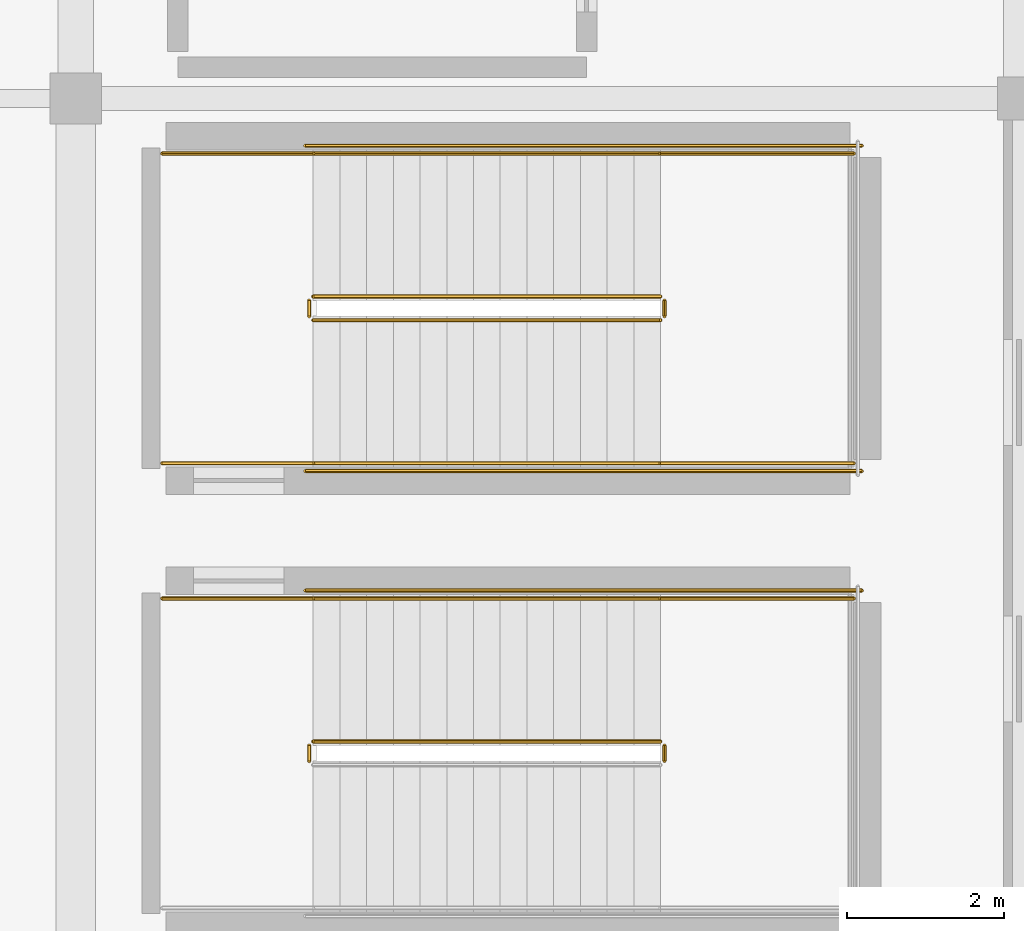
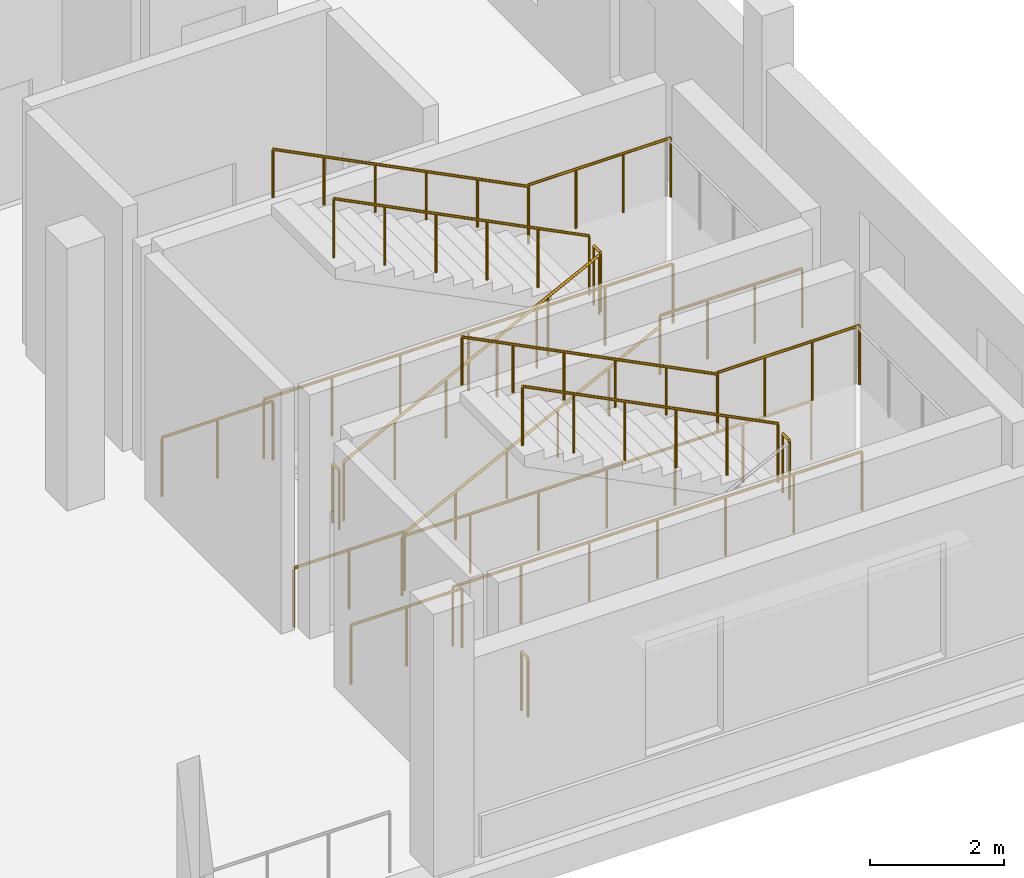
# One storey, part 52 of 53: 19 railings.
"""IFC4 building model written with IfcOpenShell, lengths in metres."""

import ifcopenshell
import ifcopenshell.guid

model = None  # the IFC model being written
_history = None  # IfcOwnerHistory: only IFC2X3 demands one
_inside = {}  # id of a spatial element -> (the spatial element, [elements in it])
_under = {}  # id of a project, library or spatial element -> (it, [spatial elements below it])
_declared = {}  # id of a project -> (the project, [libraries it declares])
_typed = {}  # id of a type object -> (the type object, [elements of that type])
_made_of = {}  # id of a material, layer set ... -> (it, [elements and type objects made of it])


def new_model(schema):
    """Start an empty IFC model of exactly this schema.

    Asked for "IFC4X3", IfcOpenShell would pick the latest addendum, in which some entities
    have other attributes; the version numbers below select the first issue.
    IFC2X3 requires an IfcOwnerHistory on every rooted entity: one is made here for all.
    """
    global model, _history
    if schema == "IFC4X3":
        model = ifcopenshell.file(schema_version=(4, 3, 0, 0))
    else:
        model = ifcopenshell.file(schema=schema)
    _inside.clear()
    _under.clear()
    _declared.clear()
    _typed.clear()
    _made_of.clear()
    _history = None
    if model.schema == "IFC2X3":
        org = make("IfcOrganization", Name="unknown")
        user = make(
            "IfcPersonAndOrganization",
            ThePerson=make("IfcPerson", FamilyName="unknown"),
            TheOrganization=org,
        )
        app = make(
            "IfcApplication",
            ApplicationDeveloper=org,
            Version="unknown",
            ApplicationFullName="unknown",
            ApplicationIdentifier="unknown",
        )
        _history = make(
            "IfcOwnerHistory",
            OwningUser=user,
            OwningApplication=app,
            ChangeAction="ADDED",
            CreationDate=0,
        )
    return model


def make(cls, **values):
    """One entity of the class cls with the attributes given. An attribute that is None is left unset."""
    return model.create_entity(
        cls, **{name: value for name, value in values.items() if value is not None}
    )


def rooted(cls, **values):
    """An entity with a GlobalId (a new one), such as an element, a storey or a relation."""
    return make(cls, GlobalId=ifcopenshell.guid.new(), OwnerHistory=_history, **values)


def si_unit(unit_type, name, prefix=None):
    """IfcSIUnit, for example si_unit("LENGTHUNIT", "METRE", prefix="MILLI")."""
    return make("IfcSIUnit", UnitType=unit_type, Prefix=prefix, Name=name)


def assignment(units):
    """IfcUnitAssignment: the units of a project."""
    return None if units is None else make("IfcUnitAssignment", Units=units)


def point(xyz):
    """IfcCartesianPoint."""
    return None if xyz is None else make("IfcCartesianPoint", Coordinates=xyz)


def direction(xyz):
    """IfcDirection."""
    return None if xyz is None else make("IfcDirection", DirectionRatios=xyz)


def frame(location, z_axis=None, x_axis=None):
    """IfcAxis2Placement3D, a coordinate frame: its origin and axes. An axis left out is left unset."""
    return make(
        "IfcAxis2Placement3D",
        Location=point(location),
        Axis=direction(z_axis),
        RefDirection=direction(x_axis),
    )


def frame_2d(location, x_axis=None):
    """IfcAxis2Placement2D, a coordinate frame in the plane: its origin and x axis."""
    return make(
        "IfcAxis2Placement2D", Location=point(location), RefDirection=direction(x_axis)
    )


def origin():
    """The frame at (0, 0, 0) with its axes left unset."""
    return frame((0.0, 0.0, 0.0))


def origin_2d():
    """The frame at (0, 0) in the plane with its x axis left unset."""
    return frame_2d((0.0, 0.0))


def place(relative_to, where):
    """IfcLocalPlacement: puts the frame where relative to a parent placement (None: the world)."""
    return make(
        "IfcLocalPlacement", PlacementRelTo=relative_to, RelativePlacement=where
    )


def context(
    kind, dimensions, precision=None, world=None, true_north=None, identifier=None
):
    """IfcGeometricRepresentationContext, for example the 3D "Model" context."""
    return make(
        "IfcGeometricRepresentationContext",
        ContextIdentifier=identifier,
        ContextType=kind,
        CoordinateSpaceDimension=dimensions,
        Precision=precision,
        WorldCoordinateSystem=world,
        TrueNorth=true_north,
    )


def subcontext(parent, identifier, kind, view, scale=None):
    """IfcGeometricRepresentationSubContext, for example "Body" below "Model"."""
    return make(
        "IfcGeometricRepresentationSubContext",
        ContextIdentifier=identifier,
        ContextType=kind,
        ParentContext=parent,
        TargetScale=scale,
        TargetView=view,
    )


def project(units=None, contexts=None):
    """IfcProject with its units and contexts."""
    return rooted(
        "IfcProject",
        Name="project",
        RepresentationContexts=contexts,
        UnitsInContext=assignment(units),
    )


def spatial(cls, under=None, at=None, **own):
    """A site, building, storey or space (cls), placed at a placement, below another one or the project."""
    s = rooted(cls, ObjectPlacement=at, **own)
    if under is not None:
        _under.setdefault(under.id(), (under, []))[1].append(s)
    return s


def profile(cls, at=None, kind="AREA", **sizes):
    """A parametric profile (cls). Its sizes go by their IFC names, for example OverallWidth=200.0."""
    return make(cls, ProfileType=kind, Position=at, **sizes)


def circle(**sizes):
    """IfcCircleProfileDef."""
    return profile("IfcCircleProfileDef", **sizes)


def extrude(swept, where, along, depth):
    """IfcExtrudedAreaSolid: the profile swept, set in the frame where, extruded along a direction by depth."""
    return make(
        "IfcExtrudedAreaSolid",
        SweptArea=swept,
        Position=where,
        ExtrudedDirection=direction(along),
        Depth=depth,
    )


def shape(context_of_items, identifier, shape_type, items):
    """IfcShapeRepresentation: the items that make up one representation, for example the "Body"."""
    return make(
        "IfcShapeRepresentation",
        ContextOfItems=context_of_items,
        RepresentationIdentifier=identifier,
        RepresentationType=shape_type,
        Items=items,
    )


def material(Name=None, Category=None):
    """IfcMaterial."""
    return make("IfcMaterial", Name=Name, Category=Category)


def made_of(thing, what):
    """Note that an element or type object is made of a material, layer set ...; save() writes the relation."""
    if what is not None:
        _made_of.setdefault(what.id(), (what, []))[1].append(thing)
    return thing


def type_object(cls, material=None, **own):
    """A type object (cls), such as IfcWallType, which elements share."""
    return made_of(rooted(cls, **own), material)


def element(
    cls,
    number,
    at=None,
    inside=None,
    cuts=None,
    type_object=None,
    material=None,
    context=None,
    identifier="Body",
    shape_type=None,
    held_by="IfcProductDefinitionShape",
    body=None,
    shapes=None,
    **own,
):
    """One element of the class cls, such as IfcWall. Its Tag is "e" and its number.

    at: its placement. inside: the storey or other place that contains it. cuts: it is an
    opening in that element (IfcRelVoidsElement). A single representation is given by context,
    identifier, shape_type and body (its items); several are given by shapes. held_by: the class
    of the entity that holds the representations. save() writes the other relations.
    """
    e = rooted(cls, Tag="e%d" % number, ObjectPlacement=at, **own)
    if body is not None:
        shapes = [shape(context, identifier, shape_type, body)]
    if shapes is not None:
        e.Representation = make(held_by, Representations=shapes)
    if inside is not None:
        _inside.setdefault(inside.id(), (inside, []))[1].append(e)
    if cuts is not None:
        rooted(
            "IfcRelVoidsElement", RelatingBuildingElement=cuts, RelatedOpeningElement=e
        )
    if type_object is not None:
        _typed.setdefault(type_object.id(), (type_object, []))[1].append(e)
    return made_of(e, material)


def aggregate(whole, parts):
    """IfcRelAggregates: a whole, such as a stair, and the parts it consists of."""
    return rooted("IfcRelAggregates", RelatingObject=whole, RelatedObjects=parts)


def save(model, path):
    """Write the relations noted so far, then the file.

    IfcRelAggregates (storeys below a building ...), IfcRelContainedInSpatialStructure (elements
    in a storey), IfcRelDefinesByType, IfcRelAssociatesMaterial and IfcRelDeclares: one each for
    every whole, place, type object, material and project.
    """
    for whole, parts in _under.values():
        aggregate(whole, parts)
    for where, things in _inside.values():
        rooted(
            "IfcRelContainedInSpatialStructure",
            RelatedElements=things,
            RelatingStructure=where,
        )
    for kind, things in _typed.values():
        rooted("IfcRelDefinesByType", RelatedObjects=things, RelatingType=kind)
    for what, things in _made_of.values():
        rooted("IfcRelAssociatesMaterial", RelatedObjects=things, RelatingMaterial=what)
    for by, libraries in _declared.values():
        rooted("IfcRelDeclares", RelatingContext=by, RelatedDefinitions=libraries)
    model.write(path)


model = new_model("IFC4")

# Units and contexts
model_context = context("Model", 3, precision=1e-05, world=origin(), true_north=direction((0.0, 1.0)))
body_context = subcontext(model_context, "Body", "Model", "MODEL_VIEW")
ifc_project = project(units=[si_unit("LENGTHUNIT", "METRE"), si_unit("AREAUNIT", "SQUARE_METRE"), si_unit("VOLUMEUNIT", "CUBIC_METRE"), si_unit("PLANEANGLEUNIT", "RADIAN"), si_unit("MASSUNIT", "GRAM", prefix="KILO")], contexts=[model_context])

# Site, building, storey
site_placement = place(None, origin())
site = spatial("IfcSite", under=ifc_project, at=site_placement, CompositionType="ELEMENT")
building_placement = place(site_placement, origin())
building = spatial("IfcBuilding", under=site, at=building_placement, Name="Luwafu Chhajja Arena", CompositionType="ELEMENT")
storey_placement = place(building_placement, frame((0.0, 0.0, 19.5)))
storey = spatial("IfcBuildingStorey", under=building, at=storey_placement, Name="L04", CompositionType="ELEMENT", Elevation=19.5)

# Railings
ifc_material_1 = material(Name="Stainless steel handrail", Category="steel")
railing_type_1 = type_object("IfcRailingType", Name="Stair Pitch Wall Handrail 920", PredefinedType="HANDRAIL", material=ifc_material_1)
railing_1_placement = place(storey_placement, frame((159.43994140625, 81.639892578125, 2.571533203125)))
element("IfcRailing", 1, at=railing_1_placement, inside=storey, type_object=railing_type_1, Name="L04 ST-07 stair handrail 2", PredefinedType="HANDRAIL", context=body_context, shape_type="SweptSolid", body=[
    extrude(circle(Radius=0.02392578125, at=origin_2d()), frame((0.0, 0.0, 0.8759765625), z_axis=(-0.89292277971, 0.0, 0.450209850486), x_axis=(0.0, -1.0, 0.0)), (0.0, 0.0, 1.0), 4.949951171875),
    extrude(circle(Radius=0.02099609375, at=origin_2d()), origin(), (0.0, 0.0, 1.0), 0.851806640625),
    extrude(circle(Radius=0.02099609375, at=origin_2d()), frame((-0.884033203125, 0.0, 0.44580078125)), (0.0, 0.0, 1.0), 0.851806640625),
    extrude(circle(Radius=0.02099609375, at=origin_2d()), frame((-1.76806640625, 0.0, 0.891357421875)), (0.0, 0.0, 1.0), 0.851806640625),
    extrude(circle(Radius=0.02099609375, at=origin_2d()), frame((-2.65185546875, 0.0, 1.337158203125)), (0.0, 0.0, 1.0), 0.851806640625),
    extrude(circle(Radius=0.02099609375, at=origin_2d()), frame((-3.535888671875, 0.0, 1.78271484375)), (0.0, 0.0, 1.0), 0.851806640625),
    extrude(circle(Radius=0.02099609375, at=origin_2d()), frame((-4.419921875, 0.0, 2.228515625)), (0.0, 0.0, 1.0), 0.851806640625),
])
railing_2_placement = place(storey_placement, frame((155.02001953125, 83.360107421875, 0.17138671875)))
element("IfcRailing", 2, at=railing_2_placement, inside=storey, type_object=railing_type_1, Name="L04 ST-08 stair handrail 1", PredefinedType="HANDRAIL", context=body_context, shape_type="SweptSolid", body=[
    extrude(circle(Radius=0.02392578125, at=origin_2d()), frame((0.0, 0.0, 0.8759765625), z_axis=(0.89292277971, 0.0, 0.450209850486), x_axis=(0.0, 1.0, 0.0)), (0.0, 0.0, 1.0), 4.949951171875),
    extrude(circle(Radius=0.02099609375, at=origin_2d()), origin(), (0.0, 0.0, 1.0), 0.851806640625),
    extrude(circle(Radius=0.02099609375, at=origin_2d()), frame((0.884033203125, 0.0, 0.44580078125)), (0.0, 0.0, 1.0), 0.851806640625),
    extrude(circle(Radius=0.02099609375, at=origin_2d()), frame((1.76806640625, 0.0, 0.891357421875)), (0.0, 0.0, 1.0), 0.851806640625),
    extrude(circle(Radius=0.02099609375, at=origin_2d()), frame((2.65185546875, 0.0, 1.337158203125)), (0.0, 0.0, 1.0), 0.851806640625),
    extrude(circle(Radius=0.02099609375, at=origin_2d()), frame((3.535888671875, 0.0, 1.78271484375)), (0.0, 0.0, 1.0), 0.851806640625),
    extrude(circle(Radius=0.02099609375, at=origin_2d()), frame((4.419921875, 0.0, 2.228515625)), (0.0, 0.0, 1.0), 0.851806640625),
])
railing_3_placement = place(storey_placement, frame((159.43994140625, 87.300048828125, 2.571533203125)))
element("IfcRailing", 3, at=railing_3_placement, inside=storey, type_object=railing_type_1, Name="L04 ST-08 stair handrail 2", PredefinedType="HANDRAIL", context=body_context, shape_type="SweptSolid", body=[
    extrude(circle(Radius=0.02392578125, at=origin_2d()), frame((0.0, 0.0, 0.8759765625), z_axis=(-0.89292277971, 0.0, 0.450209850486), x_axis=(0.0, -1.0, 0.0)), (0.0, 0.0, 1.0), 4.949951171875),
    extrude(circle(Radius=0.02099609375, at=origin_2d()), origin(), (0.0, 0.0, 1.0), 0.851806640625),
    extrude(circle(Radius=0.02099609375, at=origin_2d()), frame((-0.884033203125, 0.0, 0.44580078125)), (0.0, 0.0, 1.0), 0.851806640625),
    extrude(circle(Radius=0.02099609375, at=origin_2d()), frame((-1.76806640625, 0.0, 0.891357421875)), (0.0, 0.0, 1.0), 0.851806640625),
    extrude(circle(Radius=0.02099609375, at=origin_2d()), frame((-2.65185546875, 0.0, 1.337158203125)), (0.0, 0.0, 1.0), 0.851806640625),
    extrude(circle(Radius=0.02099609375, at=origin_2d()), frame((-3.535888671875, 0.0, 1.78271484375)), (0.0, 0.0, 1.0), 0.851806640625),
    extrude(circle(Radius=0.02099609375, at=origin_2d()), frame((-4.419921875, 0.0, 2.228515625)), (0.0, 0.0, 1.0), 0.851806640625),
])
ifc_material_2 = material(Name="Stainless steel balustrade", Category="steel")
railing_type_2 = type_object("IfcRailingType", Name="Stair and Terrace Guard Balustrade 1100", PredefinedType="BALUSTRADE", material=ifc_material_2)
railing_4_placement = place(storey_placement, frame((159.489990234375, 79.570068359375, 2.39990234375)))
element("IfcRailing", 4, at=railing_4_placement, inside=storey, type_object=railing_type_2, Name="L04 ST-07 stair guard 2", PredefinedType="BALUSTRADE", context=body_context, shape_type="SweptSolid", body=[
    extrude(circle(Radius=0.02392578125, at=origin_2d()), frame((0.0, 0.0, 1.076171875), z_axis=(0.0, 1.0, 0.0), x_axis=(-1.0, 0.0, 0.0)), (0.0, 0.0, 1.0), 0.199951171875),
    extrude(circle(Radius=0.02099609375, at=origin_2d()), origin(), (0.0, 0.0, 1.0), 1.052001953125),
    extrude(circle(Radius=0.02099609375, at=origin_2d()), frame((0.0, 0.199951171875, 0.0)), (0.0, 0.0, 1.0), 1.052001953125),
])
railing_5_placement = place(storey_placement, frame((159.43994140625, 81.639892578125, 2.39990234375)))
element("IfcRailing", 5, at=railing_5_placement, inside=storey, type_object=railing_type_2, Name="L04 ST-07 stair guard 4", PredefinedType="BALUSTRADE", context=body_context, shape_type="SweptSolid", body=[
    extrude(circle(Radius=0.02392578125, at=origin_2d()), frame((0.0, 0.0, 1.076171875), z_axis=(1.0, 0.0, 0.0), x_axis=(0.0, 1.0, 0.0)), (0.0, 0.0, 1.0), 2.4599609375),
    extrude(circle(Radius=0.02099609375, at=origin_2d()), origin(), (0.0, 0.0, 1.0), 1.052001953125),
    extrude(circle(Radius=0.02099609375, at=origin_2d()), frame((0.820068359375, 0.0, 0.0)), (0.0, 0.0, 1.0), 1.052001953125),
    extrude(circle(Radius=0.02099609375, at=origin_2d()), frame((1.639892578125, 0.0, 0.0)), (0.0, 0.0, 1.0), 1.052001953125),
    extrude(circle(Radius=0.02099609375, at=origin_2d()), frame((2.4599609375, 0.0, 0.0)), (0.0, 0.0, 1.0), 1.052001953125),
])
railing_6_placement = place(storey_placement, frame((159.43994140625, 79.820068359375, 2.571533203125)))
element("IfcRailing", 6, at=railing_6_placement, inside=storey, type_object=railing_type_2, Name="L04 ST-07 stair guard 6", PredefinedType="BALUSTRADE", context=body_context, shape_type="SweptSolid", body=[
    extrude(circle(Radius=0.02392578125, at=origin_2d()), frame((0.0, 0.0, 1.076171875), z_axis=(-0.89292277971, 0.0, 0.450209850486), x_axis=(0.0, -1.0, 0.0)), (0.0, 0.0, 1.0), 4.949951171875),
    extrude(circle(Radius=0.02099609375, at=origin_2d()), origin(), (0.0, 0.0, 1.0), 1.052001953125),
    extrude(circle(Radius=0.02099609375, at=origin_2d()), frame((-0.884033203125, 0.0, 0.44580078125)), (0.0, 0.0, 1.0), 1.052001953125),
    extrude(circle(Radius=0.02099609375, at=origin_2d()), frame((-1.76806640625, 0.0, 0.891357421875)), (0.0, 0.0, 1.0), 1.052001953125),
    extrude(circle(Radius=0.02099609375, at=origin_2d()), frame((-2.65185546875, 0.0, 1.337158203125)), (0.0, 0.0, 1.0), 1.052001953125),
    extrude(circle(Radius=0.02099609375, at=origin_2d()), frame((-3.535888671875, 0.0, 1.78271484375)), (0.0, 0.0, 1.0), 1.052001953125),
    extrude(circle(Radius=0.02099609375, at=origin_2d()), frame((-4.419921875, 0.0, 2.228515625)), (0.0, 0.0, 1.0), 1.052001953125),
])
railing_7_placement = place(storey_placement, frame((154.969970703125, 79.570068359375, 0.0)))
element("IfcRailing", 7, at=railing_7_placement, inside=storey, type_object=railing_type_2, Name="L04 ST-07 stair guard 7", PredefinedType="BALUSTRADE", context=body_context, shape_type="SweptSolid", body=[
    extrude(circle(Radius=0.02392578125, at=origin_2d()), frame((0.0, 0.0, 1.076171875), z_axis=(0.0, 1.0, 0.0), x_axis=(-1.0, 0.0, 0.0)), (0.0, 0.0, 1.0), 0.199951171875),
    extrude(circle(Radius=0.02099609375, at=origin_2d()), origin(), (0.0, 0.0, 1.0), 1.052001953125),
    extrude(circle(Radius=0.02099609375, at=origin_2d()), frame((0.0, 0.199951171875, 0.0)), (0.0, 0.0, 1.0), 1.052001953125),
])
railing_8_placement = place(storey_placement, frame((153.10009765625, 81.639892578125, 0.0)))
element("IfcRailing", 8, at=railing_8_placement, inside=storey, type_object=railing_type_2, Name="L04 ST-07 stair guard 9", PredefinedType="BALUSTRADE", context=body_context, shape_type="SweptSolid", body=[
    extrude(circle(Radius=0.02392578125, at=origin_2d()), frame((0.0, 0.0, 1.076171875), z_axis=(1.0, 0.0, 0.0), x_axis=(0.0, 1.0, 0.0)), (0.0, 0.0, 1.0), 1.919921875),
    extrude(circle(Radius=0.02099609375, at=origin_2d()), origin(), (0.0, 0.0, 1.0), 1.052001953125),
    extrude(circle(Radius=0.02099609375, at=origin_2d()), frame((0.9599609375, 0.0, 0.0)), (0.0, 0.0, 1.0), 1.052001953125),
    extrude(circle(Radius=0.02099609375, at=origin_2d()), frame((1.919921875, 0.0, 0.0)), (0.0, 0.0, 1.0), 1.052001953125),
])
railing_9_placement = place(storey_placement, frame((154.919921875, 81.739990234375, 0.0)))
element("IfcRailing", 9, at=railing_9_placement, inside=storey, type_object=railing_type_2, Name="L04 ST-07 stair guard 11", PredefinedType="BALUSTRADE", context=body_context, shape_type="SweptSolid", body=[
    extrude(circle(Radius=0.02392578125, at=origin_2d()), frame((0.0, 0.0, 1.076171875), z_axis=(1.0, 0.0, 0.0), x_axis=(0.0, 1.0, 0.0)), (0.0, 0.0, 1.0), 7.080078125),
    extrude(circle(Radius=0.02099609375, at=origin_2d()), origin(), (0.0, 0.0, 1.0), 1.052001953125),
    extrude(circle(Radius=0.02099609375, at=origin_2d()), frame((1.179931640625, 0.0, 0.0)), (0.0, 0.0, 1.0), 1.052001953125),
    extrude(circle(Radius=0.02099609375, at=origin_2d()), frame((2.360107421875, 0.0, 0.0)), (0.0, 0.0, 1.0), 1.052001953125),
    extrude(circle(Radius=0.02099609375, at=origin_2d()), frame((3.5400390625, 0.0, 0.0)), (0.0, 0.0, 1.0), 1.052001953125),
    extrude(circle(Radius=0.02099609375, at=origin_2d()), frame((4.719970703125, 0.0, 0.0)), (0.0, 0.0, 1.0), 1.052001953125),
    extrude(circle(Radius=0.02099609375, at=origin_2d()), frame((5.900146484375, 0.0, 0.0)), (0.0, 0.0, 1.0), 1.052001953125),
    extrude(circle(Radius=0.02099609375, at=origin_2d()), frame((7.080078125, 0.0, 0.0)), (0.0, 0.0, 1.0), 1.052001953125),
])
railing_10_placement = place(storey_placement, frame((155.02001953125, 85.179931640625, 0.17138671875)))
element("IfcRailing", 10, at=railing_10_placement, inside=storey, type_object=railing_type_2, Name="L04 ST-08 stair guard 1", PredefinedType="BALUSTRADE", context=body_context, shape_type="SweptSolid", body=[
    extrude(circle(Radius=0.02392578125, at=origin_2d()), frame((0.0, 0.0, 1.076171875), z_axis=(0.89292277971, 0.0, 0.450209850486), x_axis=(0.0, 1.0, 0.0)), (0.0, 0.0, 1.0), 4.949951171875),
    extrude(circle(Radius=0.02099609375, at=origin_2d()), origin(), (0.0, 0.0, 1.0), 1.052001953125),
    extrude(circle(Radius=0.02099609375, at=origin_2d()), frame((0.884033203125, 0.0, 0.44580078125)), (0.0, 0.0, 1.0), 1.052001953125),
    extrude(circle(Radius=0.02099609375, at=origin_2d()), frame((1.76806640625, 0.0, 0.891357421875)), (0.0, 0.0, 1.0), 1.052001953125),
    extrude(circle(Radius=0.02099609375, at=origin_2d()), frame((2.65185546875, 0.0, 1.337158203125)), (0.0, 0.0, 1.0), 1.052001953125),
    extrude(circle(Radius=0.02099609375, at=origin_2d()), frame((3.535888671875, 0.0, 1.78271484375)), (0.0, 0.0, 1.0), 1.052001953125),
    extrude(circle(Radius=0.02099609375, at=origin_2d()), frame((4.419921875, 0.0, 2.228515625)), (0.0, 0.0, 1.0), 1.052001953125),
])
railing_11_placement = place(storey_placement, frame((159.489990234375, 85.22998046875, 2.39990234375)))
element("IfcRailing", 11, at=railing_11_placement, inside=storey, type_object=railing_type_2, Name="L04 ST-08 stair guard 2", PredefinedType="BALUSTRADE", context=body_context, shape_type="SweptSolid", body=[
    extrude(circle(Radius=0.02392578125, at=origin_2d()), frame((0.0, 0.0, 1.076171875), z_axis=(0.0, 1.0, 0.0), x_axis=(-1.0, 0.0, 0.0)), (0.0, 0.0, 1.0), 0.199951171875),
    extrude(circle(Radius=0.02099609375, at=origin_2d()), origin(), (0.0, 0.0, 1.0), 1.052001953125),
    extrude(circle(Radius=0.02099609375, at=origin_2d()), frame((0.0, 0.199951171875, 0.0)), (0.0, 0.0, 1.0), 1.052001953125),
])
for number, where, name in (
    (12, (159.43994140625, 83.360107421875, 2.39990234375), "L04 ST-08 stair guard 3"),
    (13, (159.43994140625, 87.300048828125, 2.39990234375), "L04 ST-08 stair guard 4"),
):
    element("IfcRailing", number, at=place(storey_placement, frame(where)), inside=storey, type_object=railing_type_2, Name=name, PredefinedType="BALUSTRADE", context=body_context, shape_type="SweptSolid", body=[
        extrude(circle(Radius=0.02392578125, at=origin_2d()), frame((0.0, 0.0, 1.076171875), z_axis=(1.0, 0.0, 0.0), x_axis=(0.0, 1.0, 0.0)), (0.0, 0.0, 1.0), 2.4599609375),
        extrude(circle(Radius=0.02099609375, at=origin_2d()), origin(), (0.0, 0.0, 1.0), 1.052001953125),
        extrude(circle(Radius=0.02099609375, at=origin_2d()), frame((0.820068359375, 0.0, 0.0)), (0.0, 0.0, 1.0), 1.052001953125),
        extrude(circle(Radius=0.02099609375, at=origin_2d()), frame((1.639892578125, 0.0, 0.0)), (0.0, 0.0, 1.0), 1.052001953125),
        extrude(circle(Radius=0.02099609375, at=origin_2d()), frame((2.4599609375, 0.0, 0.0)), (0.0, 0.0, 1.0), 1.052001953125),
    ])
railing_12_placement = place(storey_placement, frame((159.43994140625, 85.47998046875, 2.571533203125)))
element("IfcRailing", 14, at=railing_12_placement, inside=storey, type_object=railing_type_2, Name="L04 ST-08 stair guard 6", PredefinedType="BALUSTRADE", context=body_context, shape_type="SweptSolid", body=[
    extrude(circle(Radius=0.02392578125, at=origin_2d()), frame((0.0, 0.0, 1.076171875), z_axis=(-0.89292277971, 0.0, 0.450209850486), x_axis=(0.0, -1.0, 0.0)), (0.0, 0.0, 1.0), 4.949951171875),
    extrude(circle(Radius=0.02099609375, at=origin_2d()), origin(), (0.0, 0.0, 1.0), 1.052001953125),
    extrude(circle(Radius=0.02099609375, at=origin_2d()), frame((-0.884033203125, 0.0, 0.44580078125)), (0.0, 0.0, 1.0), 1.052001953125),
    extrude(circle(Radius=0.02099609375, at=origin_2d()), frame((-1.76806640625, 0.0, 0.891357421875)), (0.0, 0.0, 1.0), 1.052001953125),
    extrude(circle(Radius=0.02099609375, at=origin_2d()), frame((-2.65185546875, 0.0, 1.337158203125)), (0.0, 0.0, 1.0), 1.052001953125),
    extrude(circle(Radius=0.02099609375, at=origin_2d()), frame((-3.535888671875, 0.0, 1.78271484375)), (0.0, 0.0, 1.0), 1.052001953125),
    extrude(circle(Radius=0.02099609375, at=origin_2d()), frame((-4.419921875, 0.0, 2.228515625)), (0.0, 0.0, 1.0), 1.052001953125),
])
railing_13_placement = place(storey_placement, frame((154.969970703125, 85.22998046875, 0.0)))
element("IfcRailing", 15, at=railing_13_placement, inside=storey, type_object=railing_type_2, Name="L04 ST-08 stair guard 7", PredefinedType="BALUSTRADE", context=body_context, shape_type="SweptSolid", body=[
    extrude(circle(Radius=0.02392578125, at=origin_2d()), frame((0.0, 0.0, 1.076171875), z_axis=(0.0, 1.0, 0.0), x_axis=(-1.0, 0.0, 0.0)), (0.0, 0.0, 1.0), 0.199951171875),
    extrude(circle(Radius=0.02099609375, at=origin_2d()), origin(), (0.0, 0.0, 1.0), 1.052001953125),
    extrude(circle(Radius=0.02099609375, at=origin_2d()), frame((0.0, 0.199951171875, 0.0)), (0.0, 0.0, 1.0), 1.052001953125),
])
for number, where, name in (
    (16, (153.10009765625, 83.360107421875, 0.0), "L04 ST-08 stair guard 8"),
    (17, (153.10009765625, 87.300048828125, 0.0), "L04 ST-08 stair guard 9"),
):
    element("IfcRailing", number, at=place(storey_placement, frame(where)), inside=storey, type_object=railing_type_2, Name=name, PredefinedType="BALUSTRADE", context=body_context, shape_type="SweptSolid", body=[
        extrude(circle(Radius=0.02392578125, at=origin_2d()), frame((0.0, 0.0, 1.076171875), z_axis=(1.0, 0.0, 0.0), x_axis=(0.0, 1.0, 0.0)), (0.0, 0.0, 1.0), 1.919921875),
        extrude(circle(Radius=0.02099609375, at=origin_2d()), origin(), (0.0, 0.0, 1.0), 1.052001953125),
        extrude(circle(Radius=0.02099609375, at=origin_2d()), frame((0.9599609375, 0.0, 0.0)), (0.0, 0.0, 1.0), 1.052001953125),
        extrude(circle(Radius=0.02099609375, at=origin_2d()), frame((1.919921875, 0.0, 0.0)), (0.0, 0.0, 1.0), 1.052001953125),
    ])
for number, where, name in (
    (18, (154.919921875, 83.260009765625, 0.0), "L04 ST-08 stair guard 10"),
    (19, (154.919921875, 87.39990234375, 0.0), "L04 ST-08 stair guard 11"),
):
    element("IfcRailing", number, at=place(storey_placement, frame(where)), inside=storey, type_object=railing_type_2, Name=name, PredefinedType="BALUSTRADE", context=body_context, shape_type="SweptSolid", body=[
        extrude(circle(Radius=0.02392578125, at=origin_2d()), frame((0.0, 0.0, 1.076171875), z_axis=(1.0, 0.0, 0.0), x_axis=(0.0, 1.0, 0.0)), (0.0, 0.0, 1.0), 7.080078125),
        extrude(circle(Radius=0.02099609375, at=origin_2d()), origin(), (0.0, 0.0, 1.0), 1.052001953125),
        extrude(circle(Radius=0.02099609375, at=origin_2d()), frame((1.179931640625, 0.0, 0.0)), (0.0, 0.0, 1.0), 1.052001953125),
        extrude(circle(Radius=0.02099609375, at=origin_2d()), frame((2.360107421875, 0.0, 0.0)), (0.0, 0.0, 1.0), 1.052001953125),
        extrude(circle(Radius=0.02099609375, at=origin_2d()), frame((3.5400390625, 0.0, 0.0)), (0.0, 0.0, 1.0), 1.052001953125),
        extrude(circle(Radius=0.02099609375, at=origin_2d()), frame((4.719970703125, 0.0, 0.0)), (0.0, 0.0, 1.0), 1.052001953125),
        extrude(circle(Radius=0.02099609375, at=origin_2d()), frame((5.900146484375, 0.0, 0.0)), (0.0, 0.0, 1.0), 1.052001953125),
        extrude(circle(Radius=0.02099609375, at=origin_2d()), frame((7.080078125, 0.0, 0.0)), (0.0, 0.0, 1.0), 1.052001953125),
    ])

save(model, "model.ifc")
